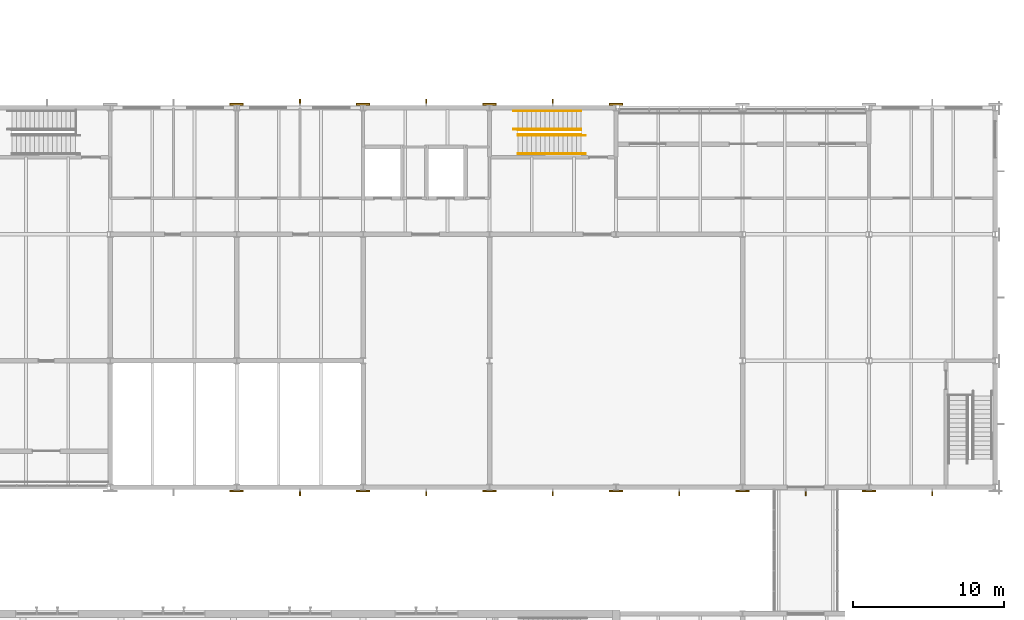
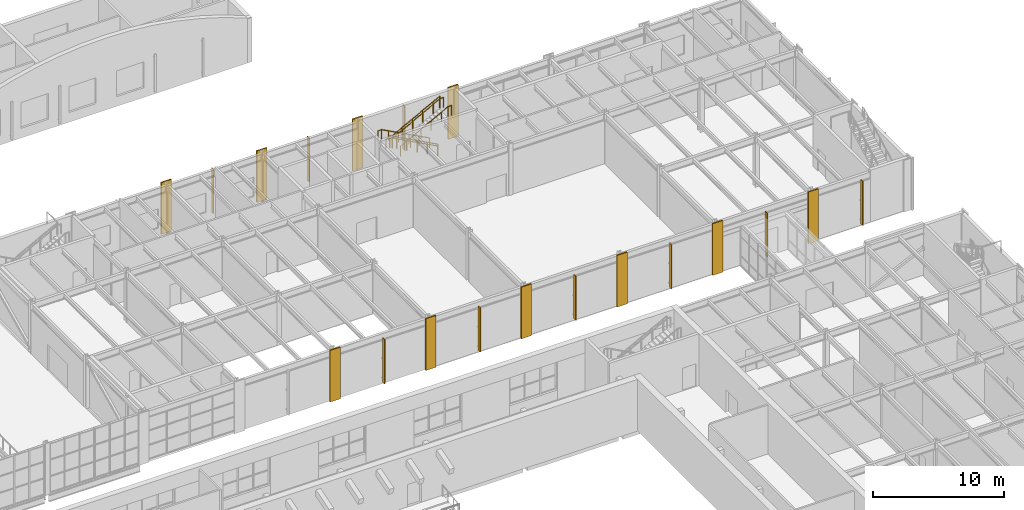
# One storey, part 125 of 127: 10 coverings, 9 shading devices, 6 railings.
"""IFC4 building model written with IfcOpenShell, lengths in metres."""

from ifc_helpers import new_model, si_unit, direction, frame, origin, origin_2d, place, context, subcontext, project, spatial, rectangle, circle, extrude, material, layer, layer_set, type_object, element, save


model = new_model("IFC4")

# Units and contexts
model_context = context("Model", 3, precision=1e-05, world=origin(), true_north=direction((0.0, 1.0)))
body_context = subcontext(model_context, "Body", "Model", "MODEL_VIEW")
ifc_project = project(units=[si_unit("LENGTHUNIT", "METRE"), si_unit("AREAUNIT", "SQUARE_METRE"), si_unit("VOLUMEUNIT", "CUBIC_METRE"), si_unit("PLANEANGLEUNIT", "RADIAN"), si_unit("MASSUNIT", "GRAM", prefix="KILO")], contexts=[model_context])

# Site, building, storey
site_placement = place(None, origin())
site = spatial("IfcSite", under=ifc_project, at=site_placement, CompositionType="ELEMENT")
building_placement = place(site_placement, origin())
building = spatial("IfcBuilding", under=site, at=building_placement, Name="Ljudholm Concert House", CompositionType="ELEMENT")
storey_placement = place(building_placement, frame((0.0, 0.0, 5.39990234375)))
storey = spatial("IfcBuildingStorey", under=building, at=storey_placement, Name="L01", CompositionType="ELEMENT", Elevation=5.39990234375)

# Shading devices
ifc_material_1 = material(Name="Aluminium extrusion with timber-grain PVDF finish", Category="aluminium")
shading_device_type = type_object("IfcShadingDeviceType", Name="FACADE FIN 300x80", PredefinedType="SHUTTER", material=ifc_material_1)
for number, where, z_axis, x_axis, name in (
    (1, (75.39990234375, 130.419921875, 0.25), (0.0, 0.0, 1.0), (0.0, 1.0, 0.0), "Facade fin"),
    (2, (83.800048828125, 130.419921875, 0.25), (0.0, 0.0, 1.0), (0.0, 1.0, 0.0), "Facade fin"),
    (3, (92.199951171875, 130.419921875, 0.25), (0.0, 0.0, 1.0), (0.0, 1.0, 0.0), "Facade fin"),
    (4, (75.39990234375, 104.3798828125, 0.25), (0.0, 0.0, 1.0), (0.0, -1.0, 0.0), "Facade fin"),
    (5, (83.800048828125, 104.3798828125, 0.25), (0.0, 0.0, 1.0), (0.0, -1.0, 0.0), "Facade fin"),
    (6, (92.199951171875, 104.3798828125, 0.25), (0.0, 0.0, 1.0), (0.0, -1.0, 0.0), "Facade fin"),
    (7, (100.60009765625, 104.3798828125, 0.25), (0.0, 0.0, 1.0), (0.0, -1.0, 0.0), "Facade fin"),
    (8, (109.0, 104.3798828125, 0.25), (0.0, 0.0, 1.0), (0.0, -1.0, 0.0), "Facade fin"),
    (9, (117.39990234375, 104.3798828125, 0.25), (0.0, 0.0, 1.0), (0.0, -1.0, 0.0), "Facade fin"),
):
    element("IfcShadingDevice", number, at=place(storey_placement, frame(where, z_axis=z_axis, x_axis=x_axis)), inside=storey, type_object=shading_device_type, Name=name, PredefinedType="SHUTTER", context=body_context, shape_type="SweptSolid", body=[
        extrude(rectangle(XDim=0.300048828125, YDim=0.080078125, at=origin_2d()), origin(), (0.0, 0.0, 1.0), 4.10009765625),
    ])

# Railings
ifc_material_2 = material(Name="Steel ASTM A36", Category="steel")
railing_type_1 = type_object("IfcRailingType", Name="GUARD 1100", PredefinedType="GUARDRAIL", material=ifc_material_2)
railing_1_placement = place(storey_placement, frame((94.074951171875, 128.52490234375, 0.16015625)))
element("IfcRailing", 10, at=railing_1_placement, inside=storey, type_object=railing_type_1, Name="Guard", PredefinedType="GUARDRAIL", context=body_context, shape_type="SweptSolid", body=[
    extrude(circle(Radius=0.02490234375, at=origin_2d()), frame((0.0, 0.0, 1.0751953125), z_axis=(-0.88233968818, 0.0, 0.47061308382), x_axis=(0.0, -1.0, 0.0)), (0.0, 0.0, 1.0), 1.02001953125),
    extrude(circle(Radius=0.02490234375, at=origin_2d()), frame((-0.89990234375, 0.0, 1.55517578125), z_axis=(-0.882392687573, 0.0, 0.470513703219), x_axis=(0.0, -1.0, 0.0)), (0.0, 0.0, 1.0), 1.02001953125),
    extrude(circle(Radius=0.02490234375, at=origin_2d()), frame((-1.800048828125, 0.0, 2.03515625), z_axis=(-0.88233968818, 0.0, 0.47061308382), x_axis=(0.0, -1.0, 0.0)), (0.0, 0.0, 1.0), 1.02001953125),
    extrude(circle(Radius=0.02490234375, at=origin_2d()), frame((-2.699951171875, 0.0, 2.51513671875), z_axis=(-0.88233968818, 0.0, 0.47061308382), x_axis=(0.0, -1.0, 0.0)), (0.0, 0.0, 1.0), 1.02001953125),
    extrude(circle(Radius=0.02490234375, at=origin_2d()), frame((-3.599853515625, 0.0, 2.9951171875), z_axis=(-0.882343004153, 0.0, 0.470606866739), x_axis=(0.0, -1.0, 0.0)), (0.0, 0.0, 1.0), 0.68017578125),
    extrude(circle(Radius=0.02099609375, at=origin_2d()), origin(), (0.0, 0.0, 1.0), 1.050048828125),
    extrude(circle(Radius=0.02099609375, at=origin_2d()), frame((-0.89990234375, 0.0, 0.47998046875)), (0.0, 0.0, 1.0), 1.050048828125),
    extrude(circle(Radius=0.02099609375, at=origin_2d()), frame((-1.800048828125, 0.0, 0.9599609375)), (0.0, 0.0, 1.0), 1.050048828125),
    extrude(circle(Radius=0.02099609375, at=origin_2d()), frame((-2.699951171875, 0.0, 1.43994140625)), (0.0, 0.0, 1.0), 1.050048828125),
    extrude(circle(Radius=0.02099609375, at=origin_2d()), frame((-3.599853515625, 0.0, 1.919921875)), (0.0, 0.0, 1.0), 1.050048828125),
    extrude(circle(Radius=0.02099609375, at=origin_2d()), frame((-4.199951171875, 0.0, 2.239990234375)), (0.0, 0.0, 1.0), 1.050048828125),
])
railing_2_placement = place(storey_placement, frame((89.875, 128.22509765625, 2.56005859375)))
element("IfcRailing", 11, at=railing_2_placement, inside=storey, type_object=railing_type_1, Name="Guard", PredefinedType="GUARDRAIL", context=body_context, shape_type="SweptSolid", body=[
    extrude(circle(Radius=0.02490234375, at=origin_2d()), frame((0.0, 0.0, 1.0751953125), z_axis=(0.88233968818, 0.0, 0.47061308382), x_axis=(0.0, 1.0, 0.0)), (0.0, 0.0, 1.0), 1.02001953125),
    extrude(circle(Radius=0.02490234375, at=origin_2d()), frame((0.89990234375, 0.0, 1.55517578125), z_axis=(0.882392687573, 0.0, 0.470513703219), x_axis=(0.0, 1.0, 0.0)), (0.0, 0.0, 1.0), 1.02001953125),
    extrude(circle(Radius=0.02490234375, at=origin_2d()), frame((1.800048828125, 0.0, 2.03515625), z_axis=(0.88233968818, 0.0, 0.47061308382), x_axis=(0.0, 1.0, 0.0)), (0.0, 0.0, 1.0), 1.02001953125),
    extrude(circle(Radius=0.02490234375, at=origin_2d()), frame((2.699951171875, 0.0, 2.51513671875), z_axis=(0.882392687573, 0.0, 0.470513703219), x_axis=(0.0, 1.0, 0.0)), (0.0, 0.0, 1.0), 1.02001953125),
    extrude(circle(Radius=0.02490234375, at=origin_2d()), frame((3.60009765625, 0.0, 2.9951171875), z_axis=(0.88226346546, 0.0, 0.470755963866), x_axis=(0.0, 1.0, 0.0)), (0.0, 0.0, 1.0), 0.679931640625),
    extrude(circle(Radius=0.02099609375, at=origin_2d()), origin(), (0.0, 0.0, 1.0), 1.050048828125),
    extrude(circle(Radius=0.02099609375, at=origin_2d()), frame((0.89990234375, 0.0, 0.47998046875)), (0.0, 0.0, 1.0), 1.050048828125),
    extrude(circle(Radius=0.02099609375, at=origin_2d()), frame((1.800048828125, 0.0, 0.9599609375)), (0.0, 0.0, 1.0), 1.050048828125),
    extrude(circle(Radius=0.02099609375, at=origin_2d()), frame((2.699951171875, 0.0, 1.43994140625)), (0.0, 0.0, 1.0), 1.050048828125),
    extrude(circle(Radius=0.02099609375, at=origin_2d()), frame((3.60009765625, 0.0, 1.919921875)), (0.0, 0.0, 1.0), 1.050048828125),
    extrude(circle(Radius=0.02099609375, at=origin_2d()), frame((4.199951171875, 0.0, 2.239990234375)), (0.0, 0.0, 1.0), 1.050048828125),
])
ifc_material_3 = material(Name="Steel ASTM A36", Category="steel")
railing_type_2 = type_object("IfcRailingType", Name="HANDRAIL 900", PredefinedType="HANDRAIL", material=ifc_material_3)
railing_3_placement = place(storey_placement, frame((94.074951171875, 128.574951171875, 0.16015625)))
element("IfcRailing", 12, at=railing_3_placement, inside=storey, type_object=railing_type_2, Name="Handrail", PredefinedType="HANDRAIL", context=body_context, shape_type="SweptSolid", body=[
    extrude(circle(Radius=0.0224609375, at=origin_2d()), frame((0.0, 0.0, 0.87744140625), z_axis=(-0.88233968818, 0.0, 0.47061308382), x_axis=(0.0, -1.0, 0.0)), (0.0, 0.0, 1.0), 1.02001953125),
    extrude(circle(Radius=0.0224609375, at=origin_2d()), frame((-0.89990234375, 0.0, 1.357421875), z_axis=(-0.882392687573, 0.0, 0.470513703219), x_axis=(0.0, -1.0, 0.0)), (0.0, 0.0, 1.0), 1.02001953125),
    extrude(circle(Radius=0.0224609375, at=origin_2d()), frame((-1.800048828125, 0.0, 1.83740234375), z_axis=(-0.88233968818, 0.0, 0.47061308382), x_axis=(0.0, -1.0, 0.0)), (0.0, 0.0, 1.0), 1.02001953125),
    extrude(circle(Radius=0.0224609375, at=origin_2d()), frame((-2.699951171875, 0.0, 2.3173828125), z_axis=(-0.88233968818, 0.0, 0.47061308382), x_axis=(0.0, -1.0, 0.0)), (0.0, 0.0, 1.0), 1.02001953125),
    extrude(circle(Radius=0.0224609375, at=origin_2d()), frame((-3.599853515625, 0.0, 2.79736328125), z_axis=(-0.882343004153, 0.0, 0.470606866739), x_axis=(0.0, -1.0, 0.0)), (0.0, 0.0, 1.0), 0.68017578125),
    extrude(circle(Radius=0.0224609375, at=origin_2d()), frame((-4.199951171875, 0.0, 3.117431640625), z_axis=(-1.0, 0.0, 0.0), x_axis=(0.0, -1.0, 0.0)), (0.0, 0.0, 1.0), 0.300048828125),
    extrude(circle(Radius=0.02099609375, at=origin_2d()), origin(), (0.0, 0.0, 1.0), 0.85498046875),
    extrude(circle(Radius=0.02099609375, at=origin_2d()), frame((-0.89990234375, 0.0, 0.47998046875)), (0.0, 0.0, 1.0), 0.85498046875),
    extrude(circle(Radius=0.02099609375, at=origin_2d()), frame((-1.800048828125, 0.0, 0.9599609375)), (0.0, 0.0, 1.0), 0.85498046875),
    extrude(circle(Radius=0.02099609375, at=origin_2d()), frame((-2.699951171875, 0.0, 1.43994140625)), (0.0, 0.0, 1.0), 0.85498046875),
    extrude(circle(Radius=0.02099609375, at=origin_2d()), frame((-3.599853515625, 0.0, 1.919921875)), (0.0, 0.0, 1.0), 0.85498046875),
    extrude(circle(Radius=0.02099609375, at=origin_2d()), frame((-4.199951171875, 0.0, 2.239990234375)), (0.0, 0.0, 1.0), 0.85498046875),
    extrude(circle(Radius=0.02099609375, at=origin_2d()), frame((-4.5, 0.0, 2.239990234375)), (0.0, 0.0, 1.0), 0.85498046875),
])
railing_4_placement = place(storey_placement, frame((94.074951171875, 129.800048828125, 0.16015625)))
element("IfcRailing", 13, at=railing_4_placement, inside=storey, type_object=railing_type_2, Name="Handrail", PredefinedType="HANDRAIL", context=body_context, shape_type="SweptSolid", body=[
    extrude(circle(Radius=0.0224609375, at=origin_2d()), frame((0.0, 0.0, 0.87744140625), z_axis=(-0.88233968818, 0.0, 0.47061308382), x_axis=(0.0, -1.0, 0.0)), (0.0, 0.0, 1.0), 1.02001953125),
    extrude(circle(Radius=0.0224609375, at=origin_2d()), frame((-0.89990234375, 0.0, 1.357421875), z_axis=(-0.882392687573, 0.0, 0.470513703219), x_axis=(0.0, -1.0, 0.0)), (0.0, 0.0, 1.0), 1.02001953125),
    extrude(circle(Radius=0.0224609375, at=origin_2d()), frame((-1.800048828125, 0.0, 1.83740234375), z_axis=(-0.88233968818, 0.0, 0.47061308382), x_axis=(0.0, -1.0, 0.0)), (0.0, 0.0, 1.0), 1.02001953125),
    extrude(circle(Radius=0.0224609375, at=origin_2d()), frame((-2.699951171875, 0.0, 2.3173828125), z_axis=(-0.88233968818, 0.0, 0.47061308382), x_axis=(0.0, -1.0, 0.0)), (0.0, 0.0, 1.0), 1.02001953125),
    extrude(circle(Radius=0.0224609375, at=origin_2d()), frame((-3.599853515625, 0.0, 2.79736328125), z_axis=(-0.882343004153, 0.0, 0.470606866739), x_axis=(0.0, -1.0, 0.0)), (0.0, 0.0, 1.0), 0.68017578125),
    extrude(circle(Radius=0.0224609375, at=origin_2d()), frame((-4.199951171875, 0.0, 3.117431640625), z_axis=(-1.0, 0.0, 0.0), x_axis=(0.0, -1.0, 0.0)), (0.0, 0.0, 1.0), 0.300048828125),
    extrude(circle(Radius=0.02099609375, at=origin_2d()), origin(), (0.0, 0.0, 1.0), 0.85498046875),
    extrude(circle(Radius=0.02099609375, at=origin_2d()), frame((-0.89990234375, 0.0, 0.47998046875)), (0.0, 0.0, 1.0), 0.85498046875),
    extrude(circle(Radius=0.02099609375, at=origin_2d()), frame((-1.800048828125, 0.0, 0.9599609375)), (0.0, 0.0, 1.0), 0.85498046875),
    extrude(circle(Radius=0.02099609375, at=origin_2d()), frame((-2.699951171875, 0.0, 1.43994140625)), (0.0, 0.0, 1.0), 0.85498046875),
    extrude(circle(Radius=0.02099609375, at=origin_2d()), frame((-3.599853515625, 0.0, 1.919921875)), (0.0, 0.0, 1.0), 0.85498046875),
    extrude(circle(Radius=0.02099609375, at=origin_2d()), frame((-4.199951171875, 0.0, 2.239990234375)), (0.0, 0.0, 1.0), 0.85498046875),
    extrude(circle(Radius=0.02099609375, at=origin_2d()), frame((-4.5, 0.0, 2.239990234375)), (0.0, 0.0, 1.0), 0.85498046875),
])
railing_5_placement = place(storey_placement, frame((89.875, 128.175048828125, 2.56005859375)))
element("IfcRailing", 14, at=railing_5_placement, inside=storey, type_object=railing_type_2, Name="Handrail", PredefinedType="HANDRAIL", context=body_context, shape_type="SweptSolid", body=[
    extrude(circle(Radius=0.0224609375, at=origin_2d()), frame((0.0, 0.0, 0.87744140625), z_axis=(0.88233968818, 0.0, 0.47061308382), x_axis=(0.0, 1.0, 0.0)), (0.0, 0.0, 1.0), 1.02001953125),
    extrude(circle(Radius=0.0224609375, at=origin_2d()), frame((0.89990234375, 0.0, 1.357421875), z_axis=(0.882392687573, 0.0, 0.470513703219), x_axis=(0.0, 1.0, 0.0)), (0.0, 0.0, 1.0), 1.02001953125),
    extrude(circle(Radius=0.0224609375, at=origin_2d()), frame((1.800048828125, 0.0, 1.83740234375), z_axis=(0.88233968818, 0.0, 0.47061308382), x_axis=(0.0, 1.0, 0.0)), (0.0, 0.0, 1.0), 1.02001953125),
    extrude(circle(Radius=0.0224609375, at=origin_2d()), frame((2.699951171875, 0.0, 2.3173828125), z_axis=(0.882392687573, 0.0, 0.470513703219), x_axis=(0.0, 1.0, 0.0)), (0.0, 0.0, 1.0), 1.02001953125),
    extrude(circle(Radius=0.0224609375, at=origin_2d()), frame((3.60009765625, 0.0, 2.79736328125), z_axis=(0.88226346546, 0.0, 0.470755963866), x_axis=(0.0, 1.0, 0.0)), (0.0, 0.0, 1.0), 0.679931640625),
    extrude(circle(Radius=0.0224609375, at=origin_2d()), frame((4.199951171875, 0.0, 3.117431640625), z_axis=(1.0, 0.0, 0.0), x_axis=(0.0, 1.0, 0.0)), (0.0, 0.0, 1.0), 0.300048828125),
    extrude(circle(Radius=0.02099609375, at=origin_2d()), origin(), (0.0, 0.0, 1.0), 0.85498046875),
    extrude(circle(Radius=0.02099609375, at=origin_2d()), frame((0.89990234375, 0.0, 0.47998046875)), (0.0, 0.0, 1.0), 0.85498046875),
    extrude(circle(Radius=0.02099609375, at=origin_2d()), frame((1.800048828125, 0.0, 0.9599609375)), (0.0, 0.0, 1.0), 0.85498046875),
    extrude(circle(Radius=0.02099609375, at=origin_2d()), frame((2.699951171875, 0.0, 1.43994140625)), (0.0, 0.0, 1.0), 0.85498046875),
    extrude(circle(Radius=0.02099609375, at=origin_2d()), frame((3.60009765625, 0.0, 1.919921875)), (0.0, 0.0, 1.0), 0.85498046875),
    extrude(circle(Radius=0.02099609375, at=origin_2d()), frame((4.199951171875, 0.0, 2.239990234375)), (0.0, 0.0, 1.0), 0.85498046875),
    extrude(circle(Radius=0.02099609375, at=origin_2d()), frame((4.5, 0.0, 2.239990234375)), (0.0, 0.0, 1.0), 0.85498046875),
])
railing_6_placement = place(storey_placement, frame((89.875, 126.949951171875, 2.56005859375)))
element("IfcRailing", 15, at=railing_6_placement, inside=storey, type_object=railing_type_2, Name="Handrail", PredefinedType="HANDRAIL", context=body_context, shape_type="SweptSolid", body=[
    extrude(circle(Radius=0.0224609375, at=origin_2d()), frame((0.0, 0.0, 0.87744140625), z_axis=(0.88233968818, 0.0, 0.47061308382), x_axis=(0.0, 1.0, 0.0)), (0.0, 0.0, 1.0), 1.02001953125),
    extrude(circle(Radius=0.0224609375, at=origin_2d()), frame((0.89990234375, 0.0, 1.357421875), z_axis=(0.882392687573, 0.0, 0.470513703219), x_axis=(0.0, 1.0, 0.0)), (0.0, 0.0, 1.0), 1.02001953125),
    extrude(circle(Radius=0.0224609375, at=origin_2d()), frame((1.800048828125, 0.0, 1.83740234375), z_axis=(0.88233968818, 0.0, 0.47061308382), x_axis=(0.0, 1.0, 0.0)), (0.0, 0.0, 1.0), 1.02001953125),
    extrude(circle(Radius=0.0224609375, at=origin_2d()), frame((2.699951171875, 0.0, 2.3173828125), z_axis=(0.882392687573, 0.0, 0.470513703219), x_axis=(0.0, 1.0, 0.0)), (0.0, 0.0, 1.0), 1.02001953125),
    extrude(circle(Radius=0.0224609375, at=origin_2d()), frame((3.60009765625, 0.0, 2.79736328125), z_axis=(0.88226346546, 0.0, 0.470755963866), x_axis=(0.0, 1.0, 0.0)), (0.0, 0.0, 1.0), 0.679931640625),
    extrude(circle(Radius=0.0224609375, at=origin_2d()), frame((4.199951171875, 0.0, 3.117431640625), z_axis=(1.0, 0.0, 0.0), x_axis=(0.0, 1.0, 0.0)), (0.0, 0.0, 1.0), 0.300048828125),
    extrude(circle(Radius=0.02099609375, at=origin_2d()), origin(), (0.0, 0.0, 1.0), 0.85498046875),
    extrude(circle(Radius=0.02099609375, at=origin_2d()), frame((0.89990234375, 0.0, 0.47998046875)), (0.0, 0.0, 1.0), 0.85498046875),
    extrude(circle(Radius=0.02099609375, at=origin_2d()), frame((1.800048828125, 0.0, 0.9599609375)), (0.0, 0.0, 1.0), 0.85498046875),
    extrude(circle(Radius=0.02099609375, at=origin_2d()), frame((2.699951171875, 0.0, 1.43994140625)), (0.0, 0.0, 1.0), 0.85498046875),
    extrude(circle(Radius=0.02099609375, at=origin_2d()), frame((3.60009765625, 0.0, 1.919921875)), (0.0, 0.0, 1.0), 0.85498046875),
    extrude(circle(Radius=0.02099609375, at=origin_2d()), frame((4.199951171875, 0.0, 2.239990234375)), (0.0, 0.0, 1.0), 0.85498046875),
    extrude(circle(Radius=0.02099609375, at=origin_2d()), frame((4.5, 0.0, 2.239990234375)), (0.0, 0.0, 1.0), 0.85498046875),
])

# Coverings
ifc_material_4 = material(Name="Precast concrete, limestone aggregate", Category="masonry")
ifc_layer = layer(ifc_material_4, 0.110107421875)
ifc_layer_set = layer_set([ifc_layer], Name="Precast concrete, limestone aggregate")
covering_type = type_object("IfcCoveringType", Name="PRECAST CONCRETE, LIMESTONE AGGREGATE CLADDING 110", PredefinedType="CLADDING", material=ifc_layer_set)
for number, where, z_axis, x_axis, name in (
    (16, (71.199951171875, 130.2451171875, 0.0), (0.0, 0.0, 1.0), (0.0, 1.0, 0.0), "Pilaster cladding"),
    (17, (79.60009765625, 130.2451171875, 0.0), (0.0, 0.0, 1.0), (0.0, 1.0, 0.0), "Pilaster cladding"),
    (18, (88.0, 130.2451171875, 0.0), (0.0, 0.0, 1.0), (0.0, 1.0, 0.0), "Pilaster cladding"),
    (19, (96.39990234375, 130.2451171875, 0.0), (0.0, 0.0, 1.0), (0.0, 1.0, 0.0), "Pilaster cladding"),
    (20, (71.199951171875, 104.554931640625, 0.0), (0.0, 0.0, 1.0), (0.0, -1.0, 0.0), "Pilaster cladding"),
    (21, (79.60009765625, 104.554931640625, 0.0), (0.0, 0.0, 1.0), (0.0, -1.0, 0.0), "Pilaster cladding"),
    (22, (88.0, 104.554931640625, 0.0), (0.0, 0.0, 1.0), (0.0, -1.0, 0.0), "Pilaster cladding"),
    (23, (96.39990234375, 104.554931640625, 0.0), (0.0, 0.0, 1.0), (0.0, -1.0, 0.0), "Pilaster cladding"),
    (24, (104.800048828125, 104.554931640625, 0.0), (0.0, 0.0, 1.0), (0.0, -1.0, 0.0), "Pilaster cladding"),
    (25, (113.199951171875, 104.554931640625, 0.0), (0.0, 0.0, 1.0), (0.0, -1.0, 0.0), "Pilaster cladding"),
):
    element("IfcCovering", number, at=place(storey_placement, frame(where, z_axis=z_axis, x_axis=x_axis)), inside=storey, type_object=covering_type, Name=name, PredefinedType="CLADDING", context=body_context, shape_type="SweptSolid", body=[
        extrude(rectangle(XDim=0.110107421875, YDim=0.89990234375, at=origin_2d()), origin(), (0.0, 0.0, 1.0), 4.800048828125),
    ])

save(model, "model.ifc")
